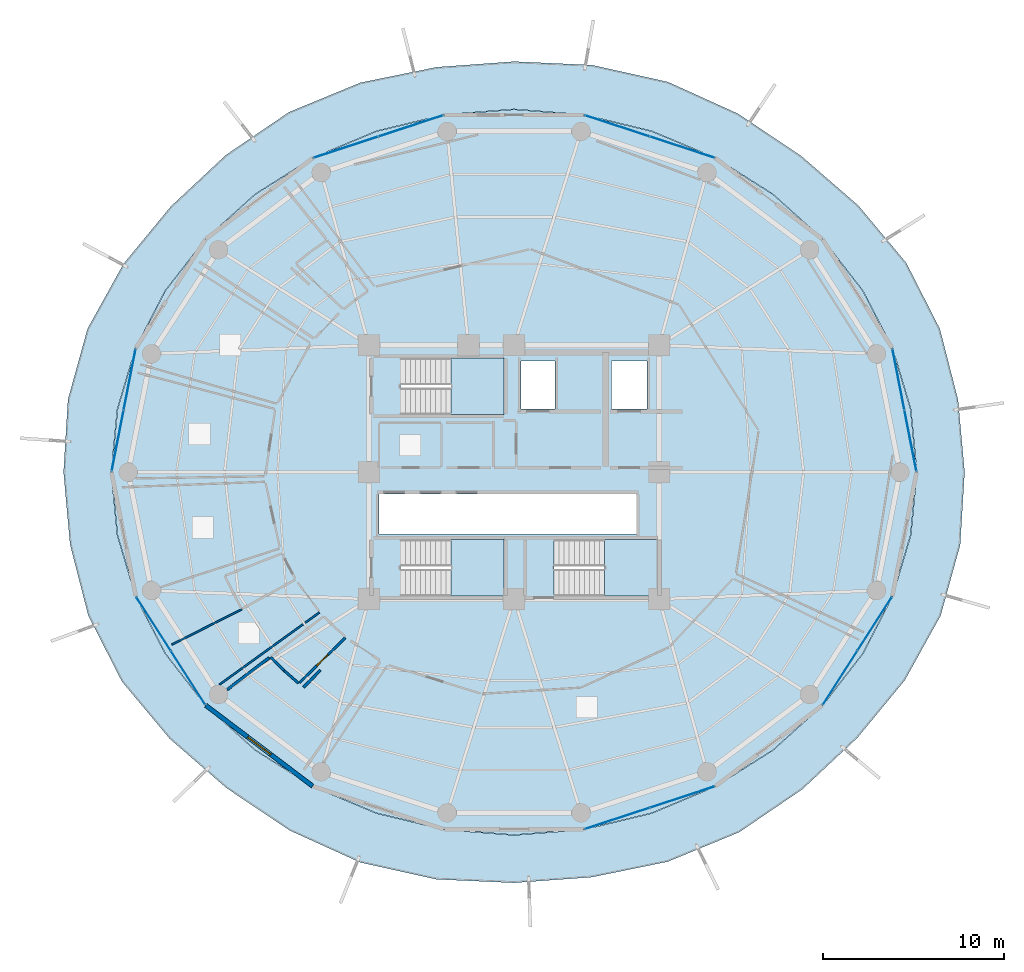
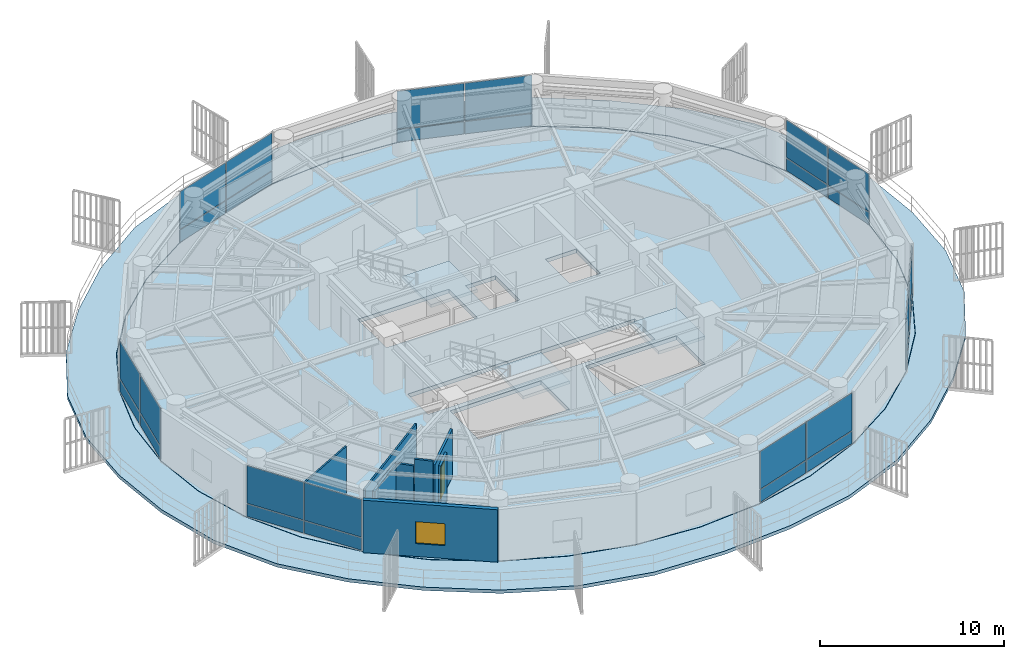
# One storey, part 22 of 30: 28 plates, 8 walls, 5 slabs, 1 door, 1 window, 2 openings, 10 elements without a shape of their own.
"""IFC4 building model written with IfcOpenShell, lengths in metres."""

from ifc_helpers import new_model, si_unit, direction, frame, frame_2d, origin, origin_2d, place, context, subcontext, project, spatial, polyline, rectangle, outline, extrude, source, transform, mapped, material, layer, layer_set, type_object, element, fill, aggregate, save


model = new_model("IFC4")

# Units and contexts
model_context = context("Model", 3, precision=1e-05, world=origin(), true_north=direction((0.0, 1.0)))
body_context = subcontext(model_context, "Body", "Model", "MODEL_VIEW")
ifc_project = project(units=[si_unit("LENGTHUNIT", "METRE"), si_unit("AREAUNIT", "SQUARE_METRE"), si_unit("VOLUMEUNIT", "CUBIC_METRE"), si_unit("PLANEANGLEUNIT", "RADIAN"), si_unit("MASSUNIT", "GRAM", prefix="KILO")], contexts=[model_context])

# Site, building, storey
site_placement = place(None, origin())
site = spatial("IfcSite", under=ifc_project, at=site_placement, CompositionType="ELEMENT")
building_placement = place(site_placement, origin())
building = spatial("IfcBuilding", under=site, at=building_placement, Name="Kelanora Arch Commons", CompositionType="ELEMENT")
storey_placement = place(building_placement, frame((0.0, 0.0, 211.949951171875)))
storey = spatial("IfcBuildingStorey", under=building, at=storey_placement, Name="L54", CompositionType="ELEMENT", Elevation=211.949951171875)

# Stair, slab
ifc_material_1 = material(Name="Concrete C40/50", Category="concrete")
stair_type = type_object("IfcStairType", Name="STR-DL-375", PredefinedType="HALF_TURN_STAIR", material=ifc_material_1)
stair_1_placement = place(storey_placement, origin())
stair_1 = element("IfcStair", 1, at=stair_1_placement, inside=storey, type_object=stair_type, Name="L54 ST-T1", PredefinedType="HALF_TURN_STAIR")
ifc_layer_1 = layer(ifc_material_1, 0.199951171875)
ifc_layer_set_1 = layer_set([ifc_layer_1], Name="Concrete C40/50")
slab_type_1 = type_object("IfcSlabType", Name="SLB-STAIR-LND", PredefinedType="LANDING", material=ifc_layer_set_1)
slab_1_placement = place(storey_placement, frame((0.0, 0.0, 1.675048828125)))
slab_1 = element("IfcSlab", 2, at=slab_1_placement, type_object=slab_type_1, Name="ST-T1 landing 1", PredefinedType="LANDING", context=body_context, shape_type="SweptSolid", body=[
    extrude(outline(polyline([(70.52001953125, 61.179931640625), (73.43994140625, 61.179931640625), (73.43994140625, 64.2900390625), (70.52001953125, 64.2900390625), (70.52001953125, 61.179931640625)])), origin(), (0.0, 0.0, 1.0), 0.199951171875),
])
aggregate(stair_1, [slab_1])

stair_2_placement = place(storey_placement, origin())
stair_2 = element("IfcStair", 3, at=stair_2_placement, inside=storey, type_object=stair_type, Name="L54 ST-T2", PredefinedType="HALF_TURN_STAIR")
slab_2_placement = place(storey_placement, frame((0.0, 0.0, 1.675048828125)))
slab_2 = element("IfcSlab", 4, at=slab_2_placement, type_object=slab_type_1, Name="ST-T2 landing 1", PredefinedType="LANDING", context=body_context, shape_type="SweptSolid", body=[
    extrude(outline(polyline([(79.0, 51.179931640625), (81.919921875, 51.179931640625), (81.919921875, 54.2900390625), (79.0, 54.2900390625), (79.0, 51.179931640625)])), origin(), (0.0, 0.0, 1.0), 0.199951171875),
])
aggregate(stair_2, [slab_2])

stair_3_placement = place(storey_placement, origin())
stair_3 = element("IfcStair", 5, at=stair_3_placement, inside=storey, type_object=stair_type, Name="L54 ST-T3", PredefinedType="HALF_TURN_STAIR")
slab_3_placement = place(storey_placement, frame((0.0, 0.0, 1.675048828125)))
slab_3 = element("IfcSlab", 6, at=slab_3_placement, type_object=slab_type_1, Name="ST-T3 landing 1", PredefinedType="LANDING", context=body_context, shape_type="SweptSolid", body=[
    extrude(outline(polyline([(70.52001953125, 51.179931640625), (73.43994140625, 51.179931640625), (73.43994140625, 54.2900390625), (70.52001953125, 54.2900390625), (70.52001953125, 51.179931640625)])), origin(), (0.0, 0.0, 1.0), 0.199951171875),
])
aggregate(stair_3, [slab_3])

# Slabs
ifc_layer_2 = layer(ifc_material_1, 0.260009765625)
ifc_layer_set_2 = layer_set([ifc_layer_2], Name="Concrete C40/50")
slab_type_2 = type_object("IfcSlabType", Name="SLB-TWR-TYP", PredefinedType="FLOOR", material=ifc_layer_set_2)
slab_4_placement = place(storey_placement, frame((0.0, 0.0, -0.260009765625)))
element("IfcSlab", 7, at=slab_4_placement, inside=storey, type_object=slab_type_2, Name="Tower Floor Slab L54", PredefinedType="FLOOR", context=body_context, shape_type="SweptSolid", body=[
    extrude(outline(polyline([(96.199951171875, 58.0), (95.86279296875, 61.472900390625), (94.861083984375, 64.84033203125), (93.225830078125, 68.0), (91.006103515625, 70.855712890625), (88.27001953125, 73.32080078125), (85.10009765625, 75.320556640625), (81.5927734375, 76.7939453125), (77.85498046875, 77.6962890625), (74.0, 78.0), (70.14501953125, 77.6962890625), (66.4072265625, 76.7939453125), (62.89990234375, 75.320556640625), (59.72998046875, 73.32080078125), (56.993896484375, 70.855712890625), (54.774169921875, 68.0), (53.138916015625, 64.84033203125), (52.13720703125, 61.472900390625), (51.800048828125, 58.0), (52.13720703125, 54.527099609375), (53.138916015625, 51.15966796875), (54.774169921875, 48.0), (56.993896484375, 45.144287109375), (59.72998046875, 42.67919921875), (62.89990234375, 40.679443359375), (66.4072265625, 39.2060546875), (70.14501953125, 38.3037109375), (74.0, 38.0), (77.85498046875, 38.3037109375), (81.5927734375, 39.2060546875), (85.10009765625, 40.679443359375), (88.27001953125, 42.67919921875), (91.006103515625, 45.144287109375), (93.225830078125, 48.0), (94.861083984375, 51.15966796875), (95.86279296875, 54.527099609375), (96.199951171875, 58.0)]), holes=[polyline([(73.431884765625, 51.18798828125), (67.72802734375, 51.18798828125), (67.72802734375, 54.281982421875), (73.431884765625, 54.281982421875), (73.431884765625, 51.18798828125)]), polyline([(76.2080078125, 51.18798828125), (76.2080078125, 54.281982421875), (81.912109375, 54.281982421875), (81.912109375, 51.18798828125), (76.2080078125, 51.18798828125)]), polyline([(66.550048828125, 54.60009765625), (66.550048828125, 56.800048828125), (80.75, 56.800048828125), (80.75, 54.60009765625), (66.550048828125, 54.60009765625)]), polyline([(73.431884765625, 61.18798828125), (67.72802734375, 61.18798828125), (67.72802734375, 64.281982421875), (73.431884765625, 64.281982421875), (73.431884765625, 61.18798828125)]), polyline([(74.3798828125, 61.47998046875), (74.3798828125, 64.1201171875), (76.260009765625, 64.1201171875), (76.260009765625, 61.47998046875), (74.3798828125, 61.47998046875)]), polyline([(79.3798828125, 61.47998046875), (79.3798828125, 64.1201171875), (81.320068359375, 64.1201171875), (81.320068359375, 61.47998046875), (79.3798828125, 61.47998046875)])]), origin(), (0.0, 0.0, 1.0), 0.260009765625),
])
ifc_layer_3 = layer(ifc_material_1, 0.219970703125)
ifc_layer_set_3 = layer_set([ifc_layer_3], Name="Concrete C40/50")
slab_type_3 = type_object("IfcSlabType", Name="SLB-WAVE-BAL", PredefinedType="FLOOR", material=ifc_layer_set_3)
slab_5_placement = place(storey_placement, frame((0.0, 0.0, -0.219970703125)))
element("IfcSlab", 8, at=slab_5_placement, inside=storey, type_object=slab_type_3, Name="Sinusoidal Wave Balcony Slab L54", PredefinedType="FLOOR", context=body_context, shape_type="SweptSolid", body=[
    extrude(outline(polyline([(98.846435546875, 58.0), (98.486328125, 61.986572265625), (97.48291015625, 65.899658203125), (95.62890625, 69.5400390625), (92.98876953125, 72.702392578125), (89.857177734375, 75.420654296875), (86.369140625, 77.760498046875), (82.48681640625, 79.519775390625), (78.29296875, 80.453125), (74.0, 80.646484375), (69.7255859375, 80.33642578125), (65.526123046875, 79.480712890625), (61.582763671875, 77.852783203125), (58.09619140625, 75.482177734375), (55.067626953125, 72.64990234375), (52.45849609375, 69.484130859375), (50.47900390625, 65.9150390625), (49.397705078125, 62.00927734375), (49.153564453125, 58.0), (49.513671875, 54.013427734375), (50.51708984375, 50.100341796875), (52.37109375, 46.4599609375), (55.01123046875, 43.297607421875), (58.142822265625, 40.579345703125), (61.630859375, 38.239501953125), (65.51318359375, 36.480224609375), (69.70703125, 35.546875), (74.0, 35.353515625), (78.2744140625, 35.66357421875), (82.473876953125, 36.519287109375), (86.417236328125, 38.147216796875), (89.90380859375, 40.517822265625), (92.932373046875, 43.35009765625), (95.54150390625, 46.515869140625), (97.52099609375, 50.0849609375), (98.602294921875, 53.99072265625), (98.846435546875, 58.0)]), holes=[polyline([(95.88232421875, 54.523681640625), (94.8798828125, 51.15283203125), (93.2431640625, 47.989990234375), (91.021484375, 45.13134765625), (88.28271484375, 42.663818359375), (85.110107421875, 40.662109375), (81.599609375, 39.1875), (77.8583984375, 38.2841796875), (74.0, 37.97998046875), (70.1416015625, 38.2841796875), (66.400390625, 39.1875), (62.889892578125, 40.662109375), (59.71728515625, 42.663818359375), (56.978515625, 45.13134765625), (54.7568359375, 47.989990234375), (53.1201171875, 51.15283203125), (52.11767578125, 54.523681640625), (51.780029296875, 58.0), (52.11767578125, 61.476318359375), (53.1201171875, 64.84716796875), (54.7568359375, 68.010009765625), (56.978515625, 70.86865234375), (59.71728515625, 73.336181640625), (62.889892578125, 75.337890625), (66.400390625, 76.8125), (70.1416015625, 77.7158203125), (74.0, 78.02001953125), (77.8583984375, 77.7158203125), (81.599609375, 76.8125), (85.110107421875, 75.337890625), (88.28271484375, 73.336181640625), (91.021484375, 70.86865234375), (93.2431640625, 68.010009765625), (94.8798828125, 64.84716796875), (95.88232421875, 61.476318359375), (96.219970703125, 58.0), (95.88232421875, 54.523681640625)])]), origin(), (0.0, 0.0, 1.0), 0.219970703125),
])

# Curtain wall, plates
ifc_material_2 = material(Name="Terracotta ceramic-fritted low-E glass and aluminium", Category="masonry")
ifc_layer_4 = layer(ifc_material_2, 0.175048828125)
ifc_layer_set_4 = layer_set([ifc_layer_4], Name="Terracotta ceramic-fritted low-E glass and aluminium")
curtain_wall_type = type_object("IfcCurtainWallType", Name="CW-SYS-02", PredefinedType="NOTDEFINED", material=ifc_layer_set_4)
curtain_wall_1_placement = place(storey_placement, origin())
curtain_wall_1 = element("IfcCurtainWall", 9, at=curtain_wall_1_placement, inside=storey, type_object=curtain_wall_type, Name="Unitised Curtain Wall L54-B00", PredefinedType="NOTDEFINED")
ifc_material_3 = material(Name="Terracotta ceramic-fritted double glazing", Category="masonry")
ifc_layer_5 = layer(ifc_material_3, 0.028076171875)
ifc_layer_set_5 = layer_set([ifc_layer_5], Name="Terracotta ceramic-fritted double glazing")
plate_type = type_object("IfcPlateType", Name="CWP-FRIT", PredefinedType="CURTAIN_PANEL", material=ifc_layer_set_5)
shared_shape_1 = source(origin(), body_context, "Body", "SweptSolid", [
    extrude(rectangle(XDim=3.380126953125, YDim=0.028076171875, at=origin_2d()), origin(), (0.0, 0.0, 1.0), 0.81005859375),
])
plate_1_placement = place(storey_placement, frame((95.861083984375, 59.732177734375, 0.06005859375), z_axis=(0.0, 0.0, 1.0), x_axis=(-0.192068926335, 0.981381438349, 0.0)))
plate_1 = element("IfcPlate", 10, at=plate_1_placement, type_object=plate_type, Name="CW-02 panel 1.1", PredefinedType="CURTAIN_PANEL", context=body_context, shape_type="MappedRepresentation", body=[
    mapped(shared_shape_1, transform((0.0, 0.0, 0.0), scale=1.0)),
])
plate_2_placement = place(storey_placement, frame((95.2001953125, 63.108154296875, 0.06005859375), z_axis=(0.0, 0.0, 1.0), x_axis=(-0.192068926335, 0.981381438349, 0.0)))
plate_2 = element("IfcPlate", 11, at=plate_2_placement, type_object=plate_type, Name="CW-02 panel 2.1", PredefinedType="CURTAIN_PANEL", context=body_context, shape_type="MappedRepresentation", body=[
    mapped(shared_shape_1, transform((0.0, 0.0, 0.0), scale=1.0)),
])

curtain_wall_2_placement = place(storey_placement, origin())
curtain_wall_2 = element("IfcCurtainWall", 12, at=curtain_wall_2_placement, inside=storey, type_object=curtain_wall_type, Name="Unitised Curtain Wall L54-B08", PredefinedType="NOTDEFINED")
plate_3_placement = place(storey_placement, frame((52.7998046875, 63.108154296875, 0.06005859375), z_axis=(0.0, 0.0, 1.0), x_axis=(-0.192068926335, -0.981381438349, 0.0)))
plate_3 = element("IfcPlate", 13, at=plate_3_placement, type_object=plate_type, Name="CW-02 panel 1.1", PredefinedType="CURTAIN_PANEL", context=body_context, shape_type="MappedRepresentation", body=[
    mapped(shared_shape_1, transform((0.0, 0.0, 0.0), scale=1.0)),
])
plate_4_placement = place(storey_placement, frame((52.138916015625, 59.732177734375, 0.06005859375), z_axis=(0.0, 0.0, 1.0), x_axis=(-0.192068926335, -0.981381438349, 0.0)))
plate_4 = element("IfcPlate", 14, at=plate_4_placement, type_object=plate_type, Name="CW-02 panel 2.1", PredefinedType="CURTAIN_PANEL", context=body_context, shape_type="MappedRepresentation", body=[
    mapped(shared_shape_1, transform((0.0, 0.0, 0.0), scale=1.0)),
])

# Plate
shared_shape_2 = source(origin(), body_context, "Body", "SweptSolid", [
    extrude(rectangle(XDim=3.380126953125, YDim=0.028076171875, at=origin_2d()), origin(), (0.0, 0.0, 1.0), 2.485107421875),
])
plate_5_placement = place(storey_placement, frame((95.861083984375, 59.732177734375, 0.93017578125), z_axis=(0.0, 0.0, 1.0), x_axis=(-0.192068926335, 0.981381438349, 0.0)))
plate_5 = element("IfcPlate", 15, at=plate_5_placement, type_object=plate_type, Name="CW-02 panel 1.2", PredefinedType="CURTAIN_PANEL", context=body_context, shape_type="MappedRepresentation", body=[
    mapped(shared_shape_2, transform((0.0, 0.0, 0.0), scale=1.0)),
])

plate_6_placement = place(storey_placement, frame((95.2001953125, 63.108154296875, 0.93017578125), z_axis=(0.0, 0.0, 1.0), x_axis=(-0.192068926335, 0.981381438349, 0.0)))
plate_6 = element("IfcPlate", 16, at=plate_6_placement, type_object=plate_type, Name="CW-02 panel 2.2", PredefinedType="CURTAIN_PANEL", context=body_context, shape_type="MappedRepresentation", body=[
    mapped(shared_shape_2, transform((0.0, 0.0, 0.0), scale=1.0)),
])

aggregate(curtain_wall_1, [plate_1, plate_5, plate_2, plate_6])

plate_7_placement = place(storey_placement, frame((52.7998046875, 63.108154296875, 0.93017578125), z_axis=(0.0, 0.0, 1.0), x_axis=(-0.192068926335, -0.981381438349, 0.0)))
plate_7 = element("IfcPlate", 17, at=plate_7_placement, type_object=plate_type, Name="CW-02 panel 1.2", PredefinedType="CURTAIN_PANEL", context=body_context, shape_type="MappedRepresentation", body=[
    mapped(shared_shape_2, transform((0.0, 0.0, 0.0), scale=1.0)),
])

plate_8_placement = place(storey_placement, frame((52.138916015625, 59.732177734375, 0.93017578125), z_axis=(0.0, 0.0, 1.0), x_axis=(-0.192068926335, -0.981381438349, 0.0)))
plate_8 = element("IfcPlate", 18, at=plate_8_placement, type_object=plate_type, Name="CW-02 panel 2.2", PredefinedType="CURTAIN_PANEL", context=body_context, shape_type="MappedRepresentation", body=[
    mapped(shared_shape_2, transform((0.0, 0.0, 0.0), scale=1.0)),
])

aggregate(curtain_wall_2, [plate_3, plate_7, plate_4, plate_8])

# Curtain wall, plates
curtain_wall_3_placement = place(storey_placement, origin())
curtain_wall_3 = element("IfcCurtainWall", 19, at=curtain_wall_3_placement, inside=storey, type_object=curtain_wall_type, Name="Unitised Curtain Wall L54-B03", PredefinedType="NOTDEFINED")
shared_shape_3 = source(origin(), body_context, "Body", "SweptSolid", [
    extrude(rectangle(XDim=3.707275390625, YDim=0.028076171875, at=origin_2d()), origin(), (0.0, 0.0, 1.0), 0.81005859375),
])
plate_9_placement = place(storey_placement, frame((83.267333984375, 75.92138671875, 0.06005859375), z_axis=(0.0, 0.0, 1.0), x_axis=(-0.950219124029, 0.311582439059, 0.0)))
plate_9 = element("IfcPlate", 20, at=plate_9_placement, type_object=plate_type, Name="CW-02 panel 1.1", PredefinedType="CURTAIN_PANEL", context=body_context, shape_type="MappedRepresentation", body=[
    mapped(shared_shape_3, transform((0.0, 0.0, 0.0), scale=1.0)),
])
plate_10_placement = place(storey_placement, frame((79.687744140625, 77.09521484375, 0.06005859375), z_axis=(0.0, 0.0, 1.0), x_axis=(-0.950219124029, 0.311582439059, 0.0)))
plate_10 = element("IfcPlate", 21, at=plate_10_placement, type_object=plate_type, Name="CW-02 panel 2.1", PredefinedType="CURTAIN_PANEL", context=body_context, shape_type="MappedRepresentation", body=[
    mapped(shared_shape_3, transform((0.0, 0.0, 0.0), scale=1.0)),
])

curtain_wall_4_placement = place(storey_placement, origin())
curtain_wall_4 = element("IfcCurtainWall", 22, at=curtain_wall_4_placement, inside=storey, type_object=curtain_wall_type, Name="Unitised Curtain Wall L54-B05", PredefinedType="NOTDEFINED")
plate_11_placement = place(storey_placement, frame((68.312255859375, 77.09521484375, 0.06005859375), z_axis=(0.0, 0.0, 1.0), x_axis=(-0.950219124029, -0.311582439059, 0.0)))
plate_11 = element("IfcPlate", 23, at=plate_11_placement, type_object=plate_type, Name="CW-02 panel 1.1", PredefinedType="CURTAIN_PANEL", context=body_context, shape_type="MappedRepresentation", body=[
    mapped(shared_shape_3, transform((0.0, 0.0, 0.0), scale=1.0)),
])
plate_12_placement = place(storey_placement, frame((64.732666015625, 75.92138671875, 0.06005859375), z_axis=(0.0, 0.0, 1.0), x_axis=(-0.950219124029, -0.311582439059, 0.0)))
plate_12 = element("IfcPlate", 24, at=plate_12_placement, type_object=plate_type, Name="CW-02 panel 2.1", PredefinedType="CURTAIN_PANEL", context=body_context, shape_type="MappedRepresentation", body=[
    mapped(shared_shape_3, transform((0.0, 0.0, 0.0), scale=1.0)),
])

curtain_wall_5_placement = place(storey_placement, origin())
curtain_wall_5 = element("IfcCurtainWall", 25, at=curtain_wall_5_placement, inside=storey, type_object=curtain_wall_type, Name="Unitised Curtain Wall L54-B14", PredefinedType="NOTDEFINED")
plate_13_placement = place(storey_placement, frame((79.687744140625, 38.90478515625, 0.06005859375), z_axis=(0.0, 0.0, 1.0), x_axis=(0.950219124029, 0.311582439059, 0.0)))
plate_13 = element("IfcPlate", 26, at=plate_13_placement, type_object=plate_type, Name="CW-02 panel 1.1", PredefinedType="CURTAIN_PANEL", context=body_context, shape_type="MappedRepresentation", body=[
    mapped(shared_shape_3, transform((0.0, 0.0, 0.0), scale=1.0)),
])
plate_14_placement = place(storey_placement, frame((83.267333984375, 40.07861328125, 0.06005859375), z_axis=(0.0, 0.0, 1.0), x_axis=(0.950219124029, 0.311582439059, 0.0)))
plate_14 = element("IfcPlate", 27, at=plate_14_placement, type_object=plate_type, Name="CW-02 panel 2.1", PredefinedType="CURTAIN_PANEL", context=body_context, shape_type="MappedRepresentation", body=[
    mapped(shared_shape_3, transform((0.0, 0.0, 0.0), scale=1.0)),
])

# Plate
shared_shape_4 = source(origin(), body_context, "Body", "SweptSolid", [
    extrude(rectangle(XDim=3.707275390625, YDim=0.028076171875, at=origin_2d()), origin(), (0.0, 0.0, 1.0), 2.485107421875),
])
plate_15_placement = place(storey_placement, frame((83.267333984375, 75.92138671875, 0.93017578125), z_axis=(0.0, 0.0, 1.0), x_axis=(-0.950219124029, 0.311582439059, 0.0)))
plate_15 = element("IfcPlate", 28, at=plate_15_placement, type_object=plate_type, Name="CW-02 panel 1.2", PredefinedType="CURTAIN_PANEL", context=body_context, shape_type="MappedRepresentation", body=[
    mapped(shared_shape_4, transform((0.0, 0.0, 0.0), scale=1.0)),
])

plate_16_placement = place(storey_placement, frame((79.687744140625, 77.09521484375, 0.93017578125), z_axis=(0.0, 0.0, 1.0), x_axis=(-0.950219124029, 0.311582439059, 0.0)))
plate_16 = element("IfcPlate", 29, at=plate_16_placement, type_object=plate_type, Name="CW-02 panel 2.2", PredefinedType="CURTAIN_PANEL", context=body_context, shape_type="MappedRepresentation", body=[
    mapped(shared_shape_4, transform((0.0, 0.0, 0.0), scale=1.0)),
])

aggregate(curtain_wall_3, [plate_9, plate_15, plate_10, plate_16])

plate_17_placement = place(storey_placement, frame((68.312255859375, 77.09521484375, 0.93017578125), z_axis=(0.0, 0.0, 1.0), x_axis=(-0.950219124029, -0.311582439059, 0.0)))
plate_17 = element("IfcPlate", 30, at=plate_17_placement, type_object=plate_type, Name="CW-02 panel 1.2", PredefinedType="CURTAIN_PANEL", context=body_context, shape_type="MappedRepresentation", body=[
    mapped(shared_shape_4, transform((0.0, 0.0, 0.0), scale=1.0)),
])

plate_18_placement = place(storey_placement, frame((64.732666015625, 75.92138671875, 0.93017578125), z_axis=(0.0, 0.0, 1.0), x_axis=(-0.950219124029, -0.311582439059, 0.0)))
plate_18 = element("IfcPlate", 31, at=plate_18_placement, type_object=plate_type, Name="CW-02 panel 2.2", PredefinedType="CURTAIN_PANEL", context=body_context, shape_type="MappedRepresentation", body=[
    mapped(shared_shape_4, transform((0.0, 0.0, 0.0), scale=1.0)),
])

aggregate(curtain_wall_4, [plate_11, plate_17, plate_12, plate_18])

plate_19_placement = place(storey_placement, frame((79.687744140625, 38.90478515625, 0.93017578125), z_axis=(0.0, 0.0, 1.0), x_axis=(0.950219124029, 0.311582439059, 0.0)))
plate_19 = element("IfcPlate", 32, at=plate_19_placement, type_object=plate_type, Name="CW-02 panel 1.2", PredefinedType="CURTAIN_PANEL", context=body_context, shape_type="MappedRepresentation", body=[
    mapped(shared_shape_4, transform((0.0, 0.0, 0.0), scale=1.0)),
])

plate_20_placement = place(storey_placement, frame((83.267333984375, 40.07861328125, 0.93017578125), z_axis=(0.0, 0.0, 1.0), x_axis=(0.950219124029, 0.311582439059, 0.0)))
plate_20 = element("IfcPlate", 33, at=plate_20_placement, type_object=plate_type, Name="CW-02 panel 2.2", PredefinedType="CURTAIN_PANEL", context=body_context, shape_type="MappedRepresentation", body=[
    mapped(shared_shape_4, transform((0.0, 0.0, 0.0), scale=1.0)),
])

aggregate(curtain_wall_5, [plate_13, plate_19, plate_14, plate_20])

# Curtain wall, plates
curtain_wall_6_placement = place(storey_placement, origin())
curtain_wall_6 = element("IfcCurtainWall", 34, at=curtain_wall_6_placement, inside=storey, type_object=curtain_wall_type, Name="Unitised Curtain Wall L54-B10", PredefinedType="NOTDEFINED")
shared_shape_5 = source(origin(), body_context, "Body", "SweptSolid", [
    extrude(rectangle(XDim=3.46728515625, YDim=0.028076171875, at=origin_2d()), origin(), (0.0, 0.0, 1.0), 0.81005859375),
])
plate_21_placement = place(storey_placement, frame((54.11474609375, 49.63671875, 0.06005859375), z_axis=(0.0, 0.0, 1.0), x_axis=(0.539559338994, -0.84194757539, 0.0)))
plate_21 = element("IfcPlate", 35, at=plate_21_placement, type_object=plate_type, Name="CW-02 panel 1.1", PredefinedType="CURTAIN_PANEL", context=body_context, shape_type="MappedRepresentation", body=[
    mapped(shared_shape_5, transform((0.0, 0.0, 0.0), scale=1.0)),
])
plate_22_placement = place(storey_placement, frame((56.017822265625, 46.6669921875, 0.06005859375), z_axis=(0.0, 0.0, 1.0), x_axis=(0.539559338994, -0.84194757539, 0.0)))
plate_22 = element("IfcPlate", 36, at=plate_22_placement, type_object=plate_type, Name="CW-02 panel 2.1", PredefinedType="CURTAIN_PANEL", context=body_context, shape_type="MappedRepresentation", body=[
    mapped(shared_shape_5, transform((0.0, 0.0, 0.0), scale=1.0)),
])

curtain_wall_7_placement = place(storey_placement, origin())
curtain_wall_7 = element("IfcCurtainWall", 37, at=curtain_wall_7_placement, inside=storey, type_object=curtain_wall_type, Name="Unitised Curtain Wall L54-B16", PredefinedType="NOTDEFINED")
plate_23_placement = place(storey_placement, frame((91.982177734375, 46.6669921875, 0.06005859375), z_axis=(0.0, 0.0, 1.0), x_axis=(0.539559338994, 0.84194757539, 0.0)))
plate_23 = element("IfcPlate", 38, at=plate_23_placement, type_object=plate_type, Name="CW-02 panel 1.1", PredefinedType="CURTAIN_PANEL", context=body_context, shape_type="MappedRepresentation", body=[
    mapped(shared_shape_5, transform((0.0, 0.0, 0.0), scale=1.0)),
])
plate_24_placement = place(storey_placement, frame((93.88525390625, 49.63671875, 0.06005859375), z_axis=(0.0, 0.0, 1.0), x_axis=(0.539559338994, 0.84194757539, 0.0)))
plate_24 = element("IfcPlate", 39, at=plate_24_placement, type_object=plate_type, Name="CW-02 panel 2.1", PredefinedType="CURTAIN_PANEL", context=body_context, shape_type="MappedRepresentation", body=[
    mapped(shared_shape_5, transform((0.0, 0.0, 0.0), scale=1.0)),
])

# Plate
shared_shape_6 = source(origin(), body_context, "Body", "SweptSolid", [
    extrude(rectangle(XDim=3.46728515625, YDim=0.028076171875, at=origin_2d()), origin(), (0.0, 0.0, 1.0), 2.485107421875),
])
plate_25_placement = place(storey_placement, frame((54.11474609375, 49.63671875, 0.93017578125), z_axis=(0.0, 0.0, 1.0), x_axis=(0.539559338994, -0.84194757539, 0.0)))
plate_25 = element("IfcPlate", 40, at=plate_25_placement, type_object=plate_type, Name="CW-02 panel 1.2", PredefinedType="CURTAIN_PANEL", context=body_context, shape_type="MappedRepresentation", body=[
    mapped(shared_shape_6, transform((0.0, 0.0, 0.0), scale=1.0)),
])

plate_26_placement = place(storey_placement, frame((56.017822265625, 46.6669921875, 0.93017578125), z_axis=(0.0, 0.0, 1.0), x_axis=(0.539559338994, -0.84194757539, 0.0)))
plate_26 = element("IfcPlate", 41, at=plate_26_placement, type_object=plate_type, Name="CW-02 panel 2.2", PredefinedType="CURTAIN_PANEL", context=body_context, shape_type="MappedRepresentation", body=[
    mapped(shared_shape_6, transform((0.0, 0.0, 0.0), scale=1.0)),
])

aggregate(curtain_wall_6, [plate_21, plate_25, plate_22, plate_26])

plate_27_placement = place(storey_placement, frame((91.982177734375, 46.6669921875, 0.93017578125), z_axis=(0.0, 0.0, 1.0), x_axis=(0.539559338994, 0.84194757539, 0.0)))
plate_27 = element("IfcPlate", 42, at=plate_27_placement, type_object=plate_type, Name="CW-02 panel 1.2", PredefinedType="CURTAIN_PANEL", context=body_context, shape_type="MappedRepresentation", body=[
    mapped(shared_shape_6, transform((0.0, 0.0, 0.0), scale=1.0)),
])

plate_28_placement = place(storey_placement, frame((93.88525390625, 49.63671875, 0.93017578125), z_axis=(0.0, 0.0, 1.0), x_axis=(0.539559338994, 0.84194757539, 0.0)))
plate_28 = element("IfcPlate", 43, at=plate_28_placement, type_object=plate_type, Name="CW-02 panel 2.2", PredefinedType="CURTAIN_PANEL", context=body_context, shape_type="MappedRepresentation", body=[
    mapped(shared_shape_6, transform((0.0, 0.0, 0.0), scale=1.0)),
])

aggregate(curtain_wall_7, [plate_23, plate_27, plate_24, plate_28])

# Walls
ifc_material_4 = material(Name="Autoclaved aerated concrete blockwork with fire plaster", Category="masonry")
ifc_layer_6 = layer(ifc_material_4, 0.14990234375)
ifc_layer_set_6 = layer_set([ifc_layer_6], Name="Autoclaved aerated concrete blockwork with fire plaster")
wall_type_1 = type_object("IfcWallType", Name="W-COMP-150", PredefinedType="PARTITIONING", material=ifc_layer_set_6)
wall_1_placement = place(storey_placement, frame((58.17724609375, 46.006591796875, 0.0), z_axis=(0.0, 0.0, 1.0), x_axis=(0.796666201995, 0.604419525329, 0.0)))
element("IfcWall", 44, at=wall_1_placement, inside=storey, type_object=wall_type_1, Name="Co-Living Studio L54-06 Enclosure Partition 5", PredefinedType="PARTITIONING", context=body_context, shape_type="SweptSolid", body=[
    extrude(rectangle(XDim=2.91064453125, YDim=0.14990234375, at=frame_2d((1.455322265625, 0.0))), origin(), (0.0, 0.0, 1.0), 3.025146484375),
])
wall_2_placement = place(storey_placement, frame((62.389892578125, 46.13671875, 0.0), z_axis=(0.0, 0.0, 1.0), x_axis=(0.699044346204, 0.715078318816, 0.0)))
element("IfcWall", 45, at=wall_2_placement, inside=storey, type_object=wall_type_1, Name="Co-Living Studio L54-06 Enclosure Partition 7", PredefinedType="PARTITIONING", context=body_context, shape_type="SweptSolid", body=[
    extrude(rectangle(XDim=1.32470703125, YDim=0.14990234375, at=frame_2d((0.662353515625, 0.0))), origin(), (0.0, 0.0, 1.0), 3.175048828125),
])

# Wall, opening, window
ifc_material_5 = material(Name="Precast concrete C40/50 upper-zone terracotta rainscreen", Category="masonry")
ifc_layer_7 = layer(ifc_material_5, 0.239990234375)
ifc_layer_set_7 = layer_set([ifc_layer_7], Name="Precast concrete C40/50 upper-zone terracotta rainscreen")
wall_type_2 = type_object("IfcWallType", Name="W-EXT-TC2", PredefinedType="SOLIDWALL", material=ifc_layer_set_7)
wall_3_placement = place(storey_placement, frame((57.005859375, 45.13525390625, 0.0), z_axis=(0.0, 0.0, 1.0), x_axis=(0.797701674595, -0.603052268338, 0.0)))
wall_3 = element("IfcWall", 46, at=wall_3_placement, inside=storey, type_object=wall_type_2, Name="Terracotta Exterior Wall L54-B11", PredefinedType="SOLIDWALL", context=body_context, shape_type="SweptSolid", body=[
    extrude(rectangle(XDim=7.373779296875, YDim=0.239990234375, at=frame_2d((3.68701171875, 0.0))), origin(), (0.0, 0.0, 1.0), 3.47509765625),
])
opening_1_placement = place(wall_3_placement, frame((2.886962890625, 0.0, 0.85009765625)))
opening_1 = element("IfcOpeningElement", 47, at=opening_1_placement, cuts=wall_3, Name="Opening WN-01", PredefinedType="OPENING", context=body_context, shape_type="SweptSolid", body=[
    extrude(rectangle(XDim=1.60009765625, YDim=1.449951171875, at=frame_2d((0.800048828125, 0.72509765625))), frame((0.0, 0.1298828125, 0.0), z_axis=(0.0, -1.0, 0.0), x_axis=(1.0, 0.0, 0.0)), (0.0, 0.0, 1.0), 0.260009765625),
])
ifc_material_6 = material(Name="Terracotta-anodised aluminium frame with operable low-E glazing", Category="masonry")
window_type = type_object("IfcWindowType", Name="WIN-CL-18", PartitioningType="DOUBLE_PANEL_VERTICAL", PredefinedType="WINDOW", material=ifc_material_6)
window_placement = place(opening_1_placement, origin())
window = element("IfcWindow", 48, at=window_placement, inside=storey, type_object=window_type, Name="Co-Living Operable Window L54-B11", OverallHeight=1.449951171875, OverallWidth=1.60009765625, PartitioningType="SINGLE_PANEL", PredefinedType="WINDOW", context=body_context, shape_type="SweptSolid", body=[
    extrude(rectangle(XDim=1.60009765625, YDim=1.449951171875, at=frame_2d((0.800048828125, 0.72509765625))), frame((0.0, 0.030029296875, 0.0), z_axis=(0.0, -1.0, 0.0), x_axis=(1.0, 0.0, 0.0)), (0.0, 0.0, 1.0), 0.06005859375),
])
fill(opening_1, window)

# Walls
ifc_material_7 = material(Name="Lightweight fire-rated acoustic stud partition")
ifc_layer_8 = layer(ifc_material_7, 0.10009765625)
ifc_layer_set_8 = layer_set([ifc_layer_8], Name="Lightweight fire-rated acoustic stud partition")
wall_type_3 = type_object("IfcWallType", Name="W-PART-100", PredefinedType="PARTITIONING", material=ifc_layer_set_8)
wall_4_placement = place(storey_placement, frame((63.259521484375, 50.258544921875, 0.0), z_axis=(0.0, 0.0, 1.0), x_axis=(-0.810850730514, -0.585253016076, 0.0)))
element("IfcWall", 49, at=wall_4_placement, inside=storey, type_object=wall_type_3, Name="Tutorial Study Alcove L54-05 Enclosure Partition 2", PredefinedType="PARTITIONING", context=body_context, shape_type="SweptSolid", body=[
    extrude(rectangle(XDim=6.79296875, YDim=0.10009765625, at=frame_2d((3.396484375, 0.0))), origin(), (0.0, 0.0, 1.0), 3.175048828125),
])
wall_5_placement = place(storey_placement, frame((55.124755859375, 48.490966796875, 0.0), z_axis=(0.0, 0.0, 1.0), x_axis=(0.892902240534, 0.450250584507, 0.0)))
element("IfcWall", 50, at=wall_5_placement, inside=storey, type_object=wall_type_3, Name="Tutorial Study Alcove L54-05 Enclosure Partition 4", PredefinedType="PARTITIONING", context=body_context, shape_type="SweptSolid", body=[
    extrude(rectangle(XDim=4.33740234375, YDim=0.10009765625, at=frame_2d((2.168701171875, 0.0))), origin(), (0.0, 0.0, 1.0), 3.074951171875),
])

# Wall, opening, door
ifc_material_8 = material(Name="Moisture-resistant fire-rated cement-board plumbing wall")
ifc_layer_9 = layer(ifc_material_8, 0.1298828125)
ifc_layer_set_9 = layer_set([ifc_layer_9], Name="Moisture-resistant fire-rated cement-board plumbing wall")
wall_type_4 = type_object("IfcWallType", Name="W-WET-120", PredefinedType="PLUMBINGWALL", material=ifc_layer_set_9)
wall_6_placement = place(storey_placement, frame((64.686279296875, 48.863037109375, 0.0), z_axis=(0.0, 0.0, 1.0), x_axis=(-0.713685369918, -0.700466410875, 0.0)))
wall_6 = element("IfcWall", 51, at=wall_6_placement, inside=storey, type_object=wall_type_4, Name="En-Suite Shower WC L54-06 Entry Partition", PredefinedType="PLUMBINGWALL", context=body_context, shape_type="SweptSolid", body=[
    extrude(rectangle(XDim=3.527587890625, YDim=0.1298828125, at=frame_2d((1.763671875, 0.0))), origin(), (0.0, 0.0, 1.0), 3.175048828125),
])
opening_2_placement = place(wall_6_placement, frame((1.333984375, 0.0, 0.0)))
opening_2 = element("IfcOpeningElement", 52, at=opening_2_placement, cuts=wall_6, Name="Opening D-BT1", PredefinedType="OPENING", context=body_context, shape_type="SweptSolid", body=[
    extrude(rectangle(XDim=0.860107421875, YDim=2.050048828125, at=frame_2d((0.43017578125, 1.02490234375))), frame((0.0, 0.074951171875, 0.0), z_axis=(0.0, -1.0, 0.0), x_axis=(1.0, 0.0, 0.0)), (0.0, 0.0, 1.0), 0.14990234375),
])
ifc_material_9 = material(Name="Moisture-sealed fire-rated accessible bathroom door")
door_type = type_object("IfcDoorType", Name="D-BATH-85", OperationType="NOTDEFINED", PredefinedType="DOOR", material=ifc_material_9)
door_placement = place(opening_2_placement, origin())
door = element("IfcDoor", 53, at=door_placement, inside=storey, type_object=door_type, Name="En-Suite Shower WC L54-06 Door", OperationType="SINGLE_SWING_RIGHT", OverallHeight=2.050048828125, OverallWidth=0.860107421875, PredefinedType="DOOR", context=body_context, shape_type="SweptSolid", body=[
    extrude(rectangle(XDim=0.860107421875, YDim=2.050048828125, at=frame_2d((0.43017578125, 1.02490234375))), frame((0.0, 0.02490234375, 0.0), z_axis=(0.0, -1.0, 0.0), x_axis=(1.0, 0.0, 0.0)), (0.0, 0.0, 1.0), 0.050048828125),
])
fill(opening_2, door)

# Walls
wall_7_placement = place(storey_placement, frame((62.111083984375, 46.36328125, 0.0), z_axis=(0.0, 0.0, 1.0), x_axis=(-0.751599507382, 0.659619724162, 0.0)))
element("IfcWall", 54, at=wall_7_placement, inside=storey, type_object=wall_type_4, Name="En-Suite Shower WC L54-06 Enclosure Partition 4", PredefinedType="PLUMBINGWALL", context=body_context, shape_type="SweptSolid", body=[
    extrude(rectangle(XDim=1.037841796875, YDim=0.1298828125, at=frame_2d((0.51904296875, 0.0))), origin(), (0.0, 0.0, 1.0), 3.47998046875),
])
wall_8_placement = place(storey_placement, frame((61.3017578125, 47.0751953125, 0.0), z_axis=(0.0, 0.0, 1.0), x_axis=(-0.707936648292, 0.706275938996, 0.0)))
element("IfcWall", 55, at=wall_8_placement, inside=storey, type_object=wall_type_4, Name="En-Suite Shower WC L54-06 Enclosure Partition 5", PredefinedType="PLUMBINGWALL", context=body_context, shape_type="SweptSolid", body=[
    extrude(rectangle(XDim=1.029052734375, YDim=0.1298828125, at=frame_2d((0.5146484375, 0.0))), origin(), (0.0, 0.0, 1.0), 3.025146484375),
])

save(model, "model.ifc")
